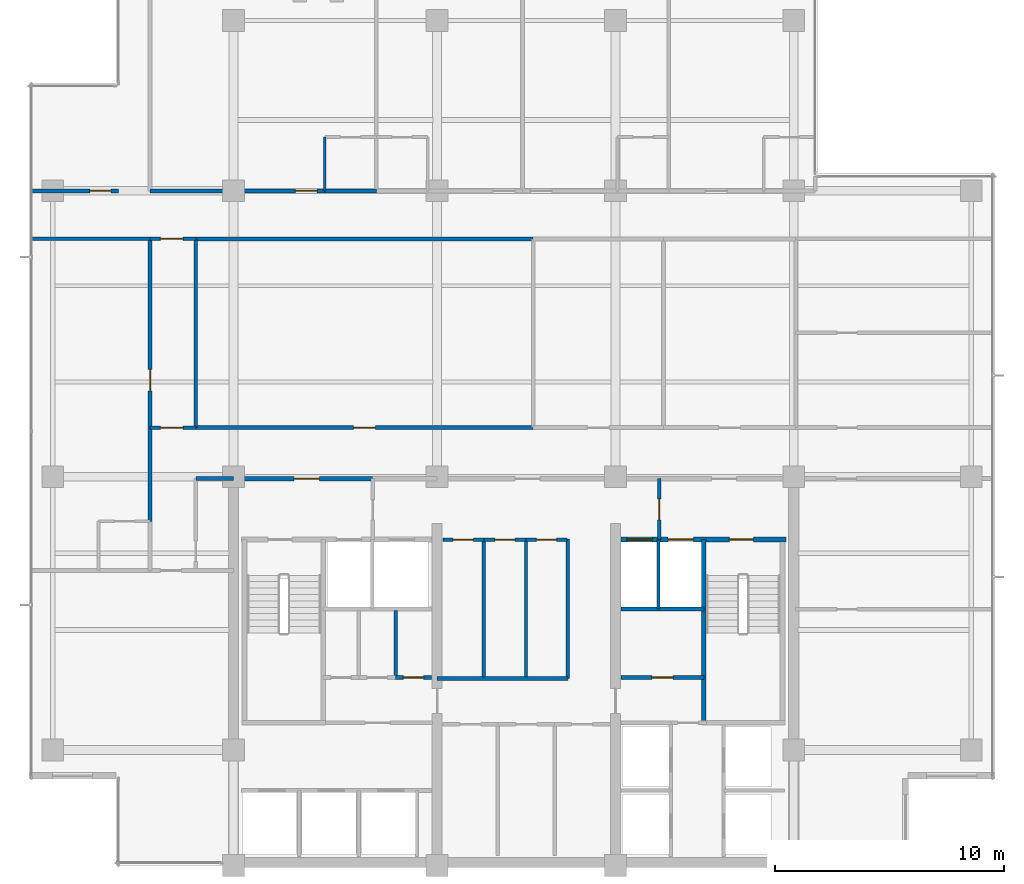
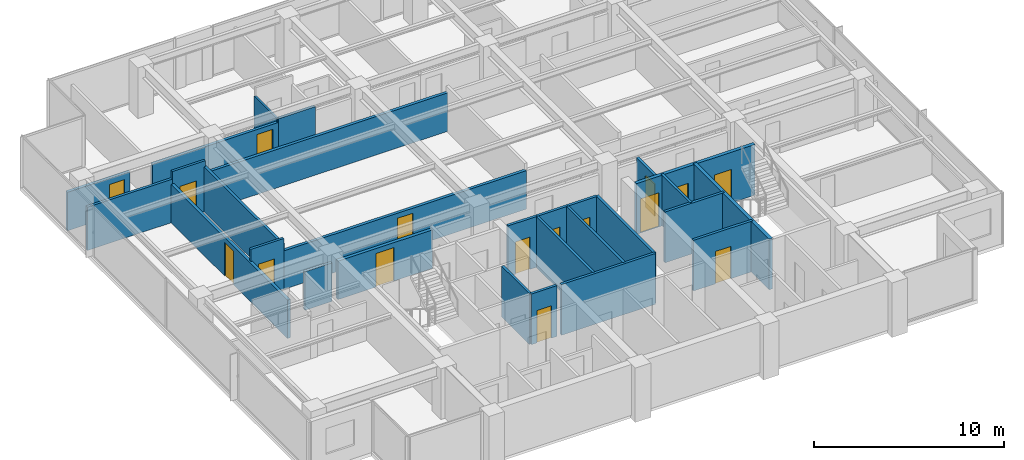
# One storey, part 8 of 14: 28 walls, 16 doors, 16 openings.
"""IFC4 building model written with IfcOpenShell, lengths in metres."""

from ifc_helpers import new_model, si_unit, direction, frame, frame_2d, origin, place, context, subcontext, project, spatial, rectangle, extrude, material, layer, layer_set, type_object, element, fill, save


model = new_model("IFC4")

# Units and contexts
model_context = context("Model", 3, precision=1e-05, world=origin(), true_north=direction((0.0, 1.0)))
body_context = subcontext(model_context, "Body", "Model", "MODEL_VIEW")
ifc_project = project(units=[si_unit("LENGTHUNIT", "METRE"), si_unit("AREAUNIT", "SQUARE_METRE"), si_unit("VOLUMEUNIT", "CUBIC_METRE"), si_unit("PLANEANGLEUNIT", "RADIAN"), si_unit("MASSUNIT", "GRAM", prefix="KILO")], contexts=[model_context])

# Site, building, storey
site_placement = place(None, origin())
site = spatial("IfcSite", under=ifc_project, at=site_placement, CompositionType="ELEMENT")
building_placement = place(site_placement, origin())
building = spatial("IfcBuilding", under=site, at=building_placement, Name="Qalmaran Belvedere Hotel", CompositionType="ELEMENT")
storey_placement = place(building_placement, frame((0.0, 0.0, 228.39990234375)))
storey = spatial("IfcBuildingStorey", under=building, at=storey_placement, Name="L58", CompositionType="ELEMENT", Elevation=228.39990234375)

# Walls
ifc_material_1 = material(Name="Moisture-Resistant Gypsum")
ifc_layer_1 = layer(ifc_material_1, 0.1201171875, Name="Moisture-Resistant Gypsum")
ifc_layer_set_1 = layer_set([ifc_layer_1], Name="Moisture-Resistant Gypsum")
wall_type_1 = type_object("IfcWallType", Name="WL-INT-120-BATH", PredefinedType="PARTITIONING", material=ifc_layer_set_1)
wall_1_placement = place(storey_placement, frame((24.290283203125, 33.0, 0.0), z_axis=(0.0, 0.0, 1.0), x_axis=(0.0, 1.0, 0.0)))
element("IfcWall", 1, at=wall_1_placement, inside=storey, type_object=wall_type_1, Name="L58 Partition WL-L58-NBS00", PredefinedType="PARTITIONING", context=body_context, shape_type="SweptSolid", body=[
    extrude(rectangle(XDim=2.35009765625, YDim=0.1201171875, at=frame_2d((1.175048828125, 0.0))), origin(), (0.0, 0.0, 1.0), 2.7060546875),
])
ifc_material_2 = material(Name="Gypsum Stud Partition")
ifc_layer_2 = layer(ifc_material_2, 0.14990234375, Name="Gypsum Stud Partition")
ifc_layer_set_2 = layer_set([ifc_layer_2], Name="Gypsum Stud Partition")
wall_type_2 = type_object("IfcWallType", Name="WL-INT-150-EI120", PredefinedType="PARTITIONING", material=ifc_layer_set_2)
wall_2_placement = place(storey_placement, frame((38.8798828125, 14.719970703125, 0.0), z_axis=(0.0, 0.0, 1.0), x_axis=(0.0, 1.0, 0.0)))
element("IfcWall", 2, at=wall_2_placement, inside=storey, type_object=wall_type_2, Name="L58 Partition WL-FF2M-L58", PredefinedType="PARTITIONING", context=body_context, shape_type="SweptSolid", body=[
    extrude(rectangle(XDim=3.0400390625, YDim=0.14990234375, at=frame_2d((1.52001953125, 0.0))), origin(), (0.0, 0.0, 1.0), 3.260009765625),
])
ifc_layer_3 = layer(ifc_material_2, 0.14990234375, Name="Gypsum Stud Partition")
ifc_layer_set_3 = layer_set([ifc_layer_3], Name="Gypsum Stud Partition")
wall_type_3 = type_object("IfcWallType", Name="WL-INT-150-EI60", PredefinedType="PARTITIONING", material=ifc_layer_set_3)
wall_3_placement = place(storey_placement, frame((27.38916015625, 11.719970703125, 0.0), z_axis=(0.0, 0.0, 1.0), x_axis=(0.0, 1.0, 0.0)))
element("IfcWall", 3, at=wall_3_placement, inside=storey, type_object=wall_type_3, Name="L58 Partition WL-L58-KWV2", PredefinedType="PARTITIONING", context=body_context, shape_type="SweptSolid", body=[
    extrude(rectangle(XDim=2.929931640625, YDim=0.14990234375, at=frame_2d((1.46484375, 0.0))), origin(), (0.0, 0.0, 1.0), 3.260009765625),
])
for number, where, z_axis, x_axis, name in (
    (4, (31.241943359375, 11.739990234375, 0.0), (0.0, 0.0, 1.0), (0.0, 1.0, 0.0), "L58 Partition WL-L58-KPMV1"),
    (5, (33.088134765625, 11.739990234375, 0.0), (0.0, 0.0, 1.0), (0.0, 1.0, 0.0), "L58 Partition WL-L58-KPMV2"),
):
    element("IfcWall", number, at=place(storey_placement, frame(where, z_axis=z_axis, x_axis=x_axis)), inside=storey, type_object=wall_type_3, Name=name, PredefinedType="PARTITIONING", context=body_context, shape_type="SweptSolid", body=[
        extrude(rectangle(XDim=6.010009765625, YDim=0.14990234375, at=frame_2d((3.0048828125, 0.0))), origin(), (0.0, 0.0, 1.0), 3.260009765625),
    ])

# Wall, opening, door
wall_4_placement = place(storey_placement, frame((16.64990234375, 22.64990234375, 0.0), z_axis=(0.0, 0.0, 1.0), x_axis=(1.0, 0.0, 0.0)))
wall_4 = element("IfcWall", 6, at=wall_4_placement, inside=storey, type_object=wall_type_3, Name="L58 Partition WL-L58-XCW1", PredefinedType="PARTITIONING", context=body_context, shape_type="SweptSolid", body=[
    extrude(rectangle(XDim=2.0, YDim=0.14990234375, at=frame_2d((1.0, 0.0))), origin(), (0.0, 0.0, 1.0), 3.260009765625),
])
opening_1_placement = place(wall_4_placement, frame((0.449951171875, 0.0, 0.0)))
opening_1 = element("IfcOpeningElement", 7, at=opening_1_placement, cuts=wall_4, Name="Opening FD90B", PredefinedType="OPENING", context=body_context, shape_type="SweptSolid", body=[
    extrude(rectangle(XDim=1.0, YDim=2.14990234375, at=frame_2d((0.5, 1.074951171875))), frame((0.0, 0.0849609375, 0.0), z_axis=(0.0, -1.0, 0.0), x_axis=(1.0, 0.0, 0.0)), (0.0, 0.0, 1.0), 0.169921875),
])
ifc_material_3 = material(Name="Steel S355JR", Category="steel")
door_type_1 = type_object("IfcDoorType", Name="DR-FD90B-1000X2150", OperationType="NOTDEFINED", PredefinedType="DOOR", material=ifc_material_3)
door_1_placement = place(opening_1_placement, origin())
door_1 = element("IfcDoor", 8, at=door_1_placement, inside=storey, type_object=door_type_1, Name="L58 West Corridor Smoke Door S", OperationType="SINGLE_SWING_RIGHT", OverallHeight=2.14990234375, OverallWidth=1.0, PredefinedType="DOOR", context=body_context, shape_type="SweptSolid", body=[
    extrude(rectangle(XDim=1.0, YDim=2.14990234375, at=frame_2d((0.5, 1.074951171875))), frame((0.0, 0.02490234375, 0.0), z_axis=(0.0, -1.0, 0.0), x_axis=(1.0, 0.0, 0.0)), (0.0, 0.0, 1.0), 0.050048828125),
])
fill(opening_1, door_1)

wall_5_placement = place(storey_placement, frame((16.64990234375, 30.89990234375, 0.0), z_axis=(0.0, 0.0, 1.0), x_axis=(1.0, 0.0, 0.0)))
wall_5 = element("IfcWall", 9, at=wall_5_placement, inside=storey, type_object=wall_type_3, Name="L58 Partition WL-L58-XCW2", PredefinedType="PARTITIONING", context=body_context, shape_type="SweptSolid", body=[
    extrude(rectangle(XDim=2.0, YDim=0.14990234375, at=frame_2d((1.0, 0.0))), origin(), (0.0, 0.0, 1.0), 3.260009765625),
])
opening_2_placement = place(wall_5_placement, frame((0.449951171875, 0.0, 0.0)))
opening_2 = element("IfcOpeningElement", 10, at=opening_2_placement, cuts=wall_5, Name="Opening FD90B", PredefinedType="OPENING", context=body_context, shape_type="SweptSolid", body=[
    extrude(rectangle(XDim=1.0, YDim=2.14990234375, at=frame_2d((0.5, 1.074951171875))), frame((0.0, 0.0849609375, 0.0), z_axis=(0.0, -1.0, 0.0), x_axis=(1.0, 0.0, 0.0)), (0.0, 0.0, 1.0), 0.169921875),
])
door_2_placement = place(opening_2_placement, origin())
door_2 = element("IfcDoor", 11, at=door_2_placement, inside=storey, type_object=door_type_1, Name="L58 West Corridor Smoke Door N", OperationType="SINGLE_SWING_LEFT", OverallHeight=2.14990234375, OverallWidth=1.0, PredefinedType="DOOR", context=body_context, shape_type="SweptSolid", body=[
    extrude(rectangle(XDim=1.0, YDim=2.14990234375, at=frame_2d((0.5, 1.074951171875))), frame((0.0, 0.02490234375, 0.0), z_axis=(0.0, -1.0, 0.0), x_axis=(1.0, 0.0, 0.0)), (0.0, 0.0, 1.0), 0.050048828125),
])
fill(opening_2, door_2)

ifc_layer_4 = layer(ifc_material_2, 0.159912109375, Name="Gypsum Stud Partition")
ifc_layer_set_4 = layer_set([ifc_layer_4], Name="Gypsum Stud Partition")
wall_type_4 = type_object("IfcWallType", Name="WL-INT-160-EI120", PredefinedType="PARTITIONING", material=ifc_layer_set_4)
wall_6_placement = place(storey_placement, frame((38.919921875, 17.760009765625, 0.0), z_axis=(0.0, 0.0, 1.0), x_axis=(0.0, 1.0, 0.0)))
wall_6 = element("IfcWall", 12, at=wall_6_placement, inside=storey, type_object=wall_type_4, Name="L58 Partition WL-FFSV2-L58", PredefinedType="PARTITIONING", context=body_context, shape_type="SweptSolid", body=[
    extrude(rectangle(XDim=2.659912109375, YDim=0.159912109375, at=frame_2d((1.330078125, 0.0))), origin(), (0.0, 0.0, 1.0), 2.7060546875),
])
opening_3_placement = place(wall_6_placement, frame((1.77001953125, 0.0, 0.0), z_axis=(0.0, 0.0, 1.0), x_axis=(-1.0, 0.0, 0.0)))
opening_3 = element("IfcOpeningElement", 13, at=opening_3_placement, cuts=wall_6, Name="Opening FD60S1", PredefinedType="OPENING", context=body_context, shape_type="SweptSolid", body=[
    extrude(rectangle(XDim=0.919921875, YDim=2.080078125, at=frame_2d((0.4599609375, 1.0400390625))), frame((0.0, 0.08984375, 0.0), z_axis=(0.0, -1.0, 0.0), x_axis=(1.0, 0.0, 0.0)), (0.0, 0.0, 1.0), 0.179931640625),
])
ifc_material_4 = material(Name="Engineered Oak Veneer")
door_type_2 = type_object("IfcDoorType", Name="DR-FD60S-920X2080", OperationType="NOTDEFINED", PredefinedType="DOOR", material=ifc_material_4)
door_3_placement = place(opening_3_placement, origin())
door_3 = element("IfcDoor", 14, at=door_3_placement, inside=storey, type_object=door_type_2, Name="L58 Service Lobby East Door", OperationType="SINGLE_SWING_RIGHT", OverallHeight=2.080078125, OverallWidth=0.919921875, PredefinedType="DOOR", context=body_context, shape_type="SweptSolid", body=[
    extrude(rectangle(XDim=0.919921875, YDim=2.080078125, at=frame_2d((0.4599609375, 1.0400390625))), frame((0.0, 0.02490234375, 0.0), z_axis=(0.0, -1.0, 0.0), x_axis=(1.0, 0.0, 0.0)), (0.0, 0.0, 1.0), 0.050048828125),
])
fill(opening_3, door_3)

# Wall
wall_7_placement = place(storey_placement, frame((37.25, 14.719970703125, 0.0), z_axis=(0.0, 0.0, 1.0), x_axis=(1.0, 0.0, 0.0)))
element("IfcWall", 15, at=wall_7_placement, inside=storey, type_object=wall_type_4, Name="L58 Partition WL-FF2S-L58", PredefinedType="PARTITIONING", context=body_context, shape_type="SweptSolid", body=[
    extrude(rectangle(XDim=3.610107421875, YDim=0.159912109375, at=frame_2d((1.80517578125, 0.0))), origin(), (0.0, 0.0, 1.0), 3.260009765625),
])

# Wall, opening, door
ifc_layer_5 = layer(ifc_material_2, 0.159912109375, Name="Gypsum Stud Partition")
ifc_layer_set_5 = layer_set([ifc_layer_5], Name="Gypsum Stud Partition")
wall_type_5 = type_object("IfcWallType", Name="WL-INT-160-EI60", PredefinedType="PARTITIONING", material=ifc_layer_set_5)
wall_8_placement = place(storey_placement, frame((27.38916015625, 11.719970703125, 0.0), z_axis=(0.0, 0.0, 1.0), x_axis=(1.0, 0.0, 0.0)))
wall_8 = element("IfcWall", 16, at=wall_8_placement, inside=storey, type_object=wall_type_5, Name="L58 Partition WL-L58-KWE3", PredefinedType="PARTITIONING", context=body_context, shape_type="SweptSolid", body=[
    extrude(rectangle(XDim=1.560791015625, YDim=0.159912109375, at=frame_2d((0.7802734375, 0.0))), origin(), (0.0, 0.0, 1.0), 3.260009765625),
])
opening_4_placement = place(wall_8_placement, frame((0.340576171875, 0.0, 0.0)))
opening_4 = element("IfcOpeningElement", 17, at=opening_4_placement, cuts=wall_8, Name="Opening FD60B", PredefinedType="OPENING", context=body_context, shape_type="SweptSolid", body=[
    extrude(rectangle(XDim=0.8798828125, YDim=2.080078125, at=frame_2d((0.43994140625, 1.0400390625))), frame((0.0, 0.08984375, 0.0), z_axis=(0.0, -1.0, 0.0), x_axis=(1.0, 0.0, 0.0)), (0.0, 0.0, 1.0), 0.179931640625),
])
door_type_3 = type_object("IfcDoorType", Name="DR-FD60B-880X2080", OperationType="NOTDEFINED", PredefinedType="DOOR", material=ifc_material_3)
door_4_placement = place(opening_4_placement, origin())
door_4 = element("IfcDoor", 18, at=door_4_placement, inside=storey, type_object=door_type_3, Name="L58 Telecom and IT Room Door", OperationType="SINGLE_SWING_RIGHT", OverallHeight=2.080078125, OverallWidth=0.8798828125, PredefinedType="DOOR", context=body_context, shape_type="SweptSolid", body=[
    extrude(rectangle(XDim=0.8798828125, YDim=2.080078125, at=frame_2d((0.43994140625, 1.0400390625))), frame((0.0, 0.02490234375, 0.0), z_axis=(0.0, -1.0, 0.0), x_axis=(1.0, 0.0, 0.0)), (0.0, 0.0, 1.0), 0.050048828125),
])
fill(opening_4, door_4)

wall_9_placement = place(storey_placement, frame((37.25, 11.719970703125, 0.0), z_axis=(0.0, 0.0, 1.0), x_axis=(1.0, 0.0, 0.0)))
wall_9 = element("IfcWall", 19, at=wall_9_placement, inside=storey, type_object=wall_type_5, Name="L58 Partition WL-L58-KEE1", PredefinedType="PARTITIONING", context=body_context, shape_type="SweptSolid", body=[
    extrude(rectangle(XDim=3.610107421875, YDim=0.159912109375, at=frame_2d((1.80517578125, 0.0))), origin(), (0.0, 0.0, 1.0), 3.260009765625),
])
opening_5_placement = place(wall_9_placement, frame((1.344970703125, 0.0, 0.0)))
opening_5 = element("IfcOpeningElement", 20, at=opening_5_placement, cuts=wall_9, Name="Opening FD60S1", PredefinedType="OPENING", context=body_context, shape_type="SweptSolid", body=[
    extrude(rectangle(XDim=0.919921875, YDim=2.080078125, at=frame_2d((0.4599609375, 1.0400390625))), frame((0.0, 0.08984375, 0.0), z_axis=(0.0, -1.0, 0.0), x_axis=(1.0, 0.0, 0.0)), (0.0, 0.0, 1.0), 0.179931640625),
])
door_5_placement = place(opening_5_placement, origin())
door_5 = element("IfcDoor", 21, at=door_5_placement, inside=storey, type_object=door_type_2, Name="L58 Guest Ice and Beverage Pantry Door", OperationType="SINGLE_SWING_LEFT", OverallHeight=2.080078125, OverallWidth=0.919921875, PredefinedType="DOOR", context=body_context, shape_type="SweptSolid", body=[
    extrude(rectangle(XDim=0.919921875, YDim=2.080078125, at=frame_2d((0.4599609375, 1.0400390625))), frame((0.0, 0.02490234375, 0.0), z_axis=(0.0, -1.0, 0.0), x_axis=(1.0, 0.0, 0.0)), (0.0, 0.0, 1.0), 0.050048828125),
])
fill(opening_5, door_5)

# Walls
wall_10_placement = place(storey_placement, frame((34.919921875, 11.679931640625, 0.0), z_axis=(0.0, 0.0, 1.0), x_axis=(0.0, 1.0, 0.0)))
element("IfcWall", 22, at=wall_10_placement, inside=storey, type_object=wall_type_5, Name="L58 Partition WL-CLLV-L58", PredefinedType="PARTITIONING", context=body_context, shape_type="SweptSolid", body=[
    extrude(rectangle(XDim=6.10009765625, YDim=0.159912109375, at=frame_2d((3.050048828125, 0.0))), origin(), (0.0, 0.0, 1.0), 3.260009765625),
])
wall_11_placement = place(storey_placement, frame((29.199951171875, 11.679931640625, 0.0), z_axis=(0.0, 0.0, 1.0), x_axis=(1.0, 0.0, 0.0)))
element("IfcWall", 23, at=wall_11_placement, inside=storey, type_object=wall_type_5, Name="L58 Partition WL-PMFS-L58", PredefinedType="PARTITIONING", context=body_context, shape_type="SweptSolid", body=[
    extrude(rectangle(XDim=5.719970703125, YDim=0.159912109375, at=frame_2d((2.85986328125, 0.0))), origin(), (0.0, 0.0, 1.0), 3.260009765625),
])

# Wall, opening, door
wall_12_placement = place(storey_placement, frame((29.449951171875, 17.75, 0.0), z_axis=(0.0, 0.0, 1.0), x_axis=(1.0, 0.0, 0.0)))
wall_12 = element("IfcWall", 24, at=wall_12_placement, inside=storey, type_object=wall_type_5, Name="L58 Partition WL-L58-KPME1", PredefinedType="PARTITIONING", context=body_context, shape_type="SweptSolid", body=[
    extrude(rectangle(XDim=1.7919921875, YDim=0.159912109375, at=frame_2d((0.89599609375, 0.0))), origin(), (0.0, 0.0, 1.0), 3.260009765625),
])
opening_6_placement = place(wall_12_placement, frame((1.3359375, 0.0, 0.0), z_axis=(0.0, 0.0, 1.0), x_axis=(-1.0, 0.0, 0.0)))
opening_6 = element("IfcOpeningElement", 25, at=opening_6_placement, cuts=wall_12, Name="Opening FD60B", PredefinedType="OPENING", context=body_context, shape_type="SweptSolid", body=[
    extrude(rectangle(XDim=0.8798828125, YDim=2.080078125, at=frame_2d((0.43994140625, 1.0400390625))), frame((0.0, 0.08984375, 0.0), z_axis=(0.0, -1.0, 0.0), x_axis=(1.0, 0.0, 0.0)), (0.0, 0.0, 1.0), 0.179931640625),
])
door_6_placement = place(opening_6_placement, origin())
door_6 = element("IfcDoor", 26, at=door_6_placement, inside=storey, type_object=door_type_3, Name="L58 Executive Butler Pantry Door", OperationType="SINGLE_SWING_LEFT", OverallHeight=2.080078125, OverallWidth=0.8798828125, PredefinedType="DOOR", context=body_context, shape_type="SweptSolid", body=[
    extrude(rectangle(XDim=0.8798828125, YDim=2.080078125, at=frame_2d((0.43994140625, 1.0400390625))), frame((0.0, 0.02490234375, 0.0), z_axis=(0.0, -1.0, 0.0), x_axis=(1.0, 0.0, 0.0)), (0.0, 0.0, 1.0), 0.050048828125),
])
fill(opening_6, door_6)

wall_13_placement = place(storey_placement, frame((31.241943359375, 17.75, 0.0), z_axis=(0.0, 0.0, 1.0), x_axis=(1.0, 0.0, 0.0)))
wall_13 = element("IfcWall", 27, at=wall_13_placement, inside=storey, type_object=wall_type_5, Name="L58 Partition WL-L58-KPME2", PredefinedType="PARTITIONING", context=body_context, shape_type="SweptSolid", body=[
    extrude(rectangle(XDim=1.84619140625, YDim=0.159912109375, at=frame_2d((0.923095703125, 0.0))), origin(), (0.0, 0.0, 1.0), 3.260009765625),
])
opening_7_placement = place(wall_13_placement, frame((1.363037109375, 0.0, 0.0), z_axis=(0.0, 0.0, 1.0), x_axis=(-1.0, 0.0, 0.0)))
opening_7 = element("IfcOpeningElement", 28, at=opening_7_placement, cuts=wall_13, Name="Opening FD60B", PredefinedType="OPENING", context=body_context, shape_type="SweptSolid", body=[
    extrude(rectangle(XDim=0.8798828125, YDim=2.080078125, at=frame_2d((0.43994140625, 1.0400390625))), frame((0.0, 0.08984375, 0.0), z_axis=(0.0, -1.0, 0.0), x_axis=(1.0, 0.0, 0.0)), (0.0, 0.0, 1.0), 0.179931640625),
])
door_7_placement = place(opening_7_placement, origin())
door_7 = element("IfcDoor", 29, at=door_7_placement, inside=storey, type_object=door_type_3, Name="L58 Floor Linen Supply Store Door", OperationType="SINGLE_SWING_RIGHT", OverallHeight=2.080078125, OverallWidth=0.8798828125, PredefinedType="DOOR", context=body_context, shape_type="SweptSolid", body=[
    extrude(rectangle(XDim=0.8798828125, YDim=2.080078125, at=frame_2d((0.43994140625, 1.0400390625))), frame((0.0, 0.02490234375, 0.0), z_axis=(0.0, -1.0, 0.0), x_axis=(1.0, 0.0, 0.0)), (0.0, 0.0, 1.0), 0.050048828125),
])
fill(opening_7, door_7)

wall_14_placement = place(storey_placement, frame((33.088134765625, 17.75, 0.0), z_axis=(0.0, 0.0, 1.0), x_axis=(1.0, 0.0, 0.0)))
wall_14 = element("IfcWall", 30, at=wall_14_placement, inside=storey, type_object=wall_type_5, Name="L58 Partition WL-L58-KPME3", PredefinedType="PARTITIONING", context=body_context, shape_type="SweptSolid", body=[
    extrude(rectangle(XDim=1.791748046875, YDim=0.159912109375, at=frame_2d((0.89599609375, 0.0))), origin(), (0.0, 0.0, 1.0), 3.260009765625),
])
opening_8_placement = place(wall_14_placement, frame((1.3359375, 0.0, 0.0), z_axis=(0.0, 0.0, 1.0), x_axis=(-1.0, 0.0, 0.0)))
opening_8 = element("IfcOpeningElement", 31, at=opening_8_placement, cuts=wall_14, Name="Opening FD60B", PredefinedType="OPENING", context=body_context, shape_type="SweptSolid", body=[
    extrude(rectangle(XDim=0.8798828125, YDim=2.080078125, at=frame_2d((0.43994140625, 1.0400390625))), frame((0.0, 0.08984375, 0.0), z_axis=(0.0, -1.0, 0.0), x_axis=(1.0, 0.0, 0.0)), (0.0, 0.0, 1.0), 0.179931640625),
])
door_8_placement = place(opening_8_placement, origin())
door_8 = element("IfcDoor", 32, at=door_8_placement, inside=storey, type_object=door_type_3, Name="L58 Core Tableware Store Door", OperationType="SINGLE_SWING_LEFT", OverallHeight=2.080078125, OverallWidth=0.8798828125, PredefinedType="DOOR", context=body_context, shape_type="SweptSolid", body=[
    extrude(rectangle(XDim=0.8798828125, YDim=2.080078125, at=frame_2d((0.43994140625, 1.0400390625))), frame((0.0, 0.02490234375, 0.0), z_axis=(0.0, -1.0, 0.0), x_axis=(1.0, 0.0, 0.0)), (0.0, 0.0, 1.0), 0.050048828125),
])
fill(opening_8, door_8)

# Walls
wall_15_placement = place(storey_placement, frame((18.64990234375, 20.419921875, 0.0), z_axis=(0.0, 0.0, 1.0), x_axis=(1.0, 0.0, 0.0)))
element("IfcWall", 33, at=wall_15_placement, inside=storey, type_object=wall_type_5, Name="L58 Partition WL-L58-WCLN", PredefinedType="PARTITIONING", context=body_context, shape_type="SweptSolid", body=[
    extrude(rectangle(XDim=1.650146484375, YDim=0.159912109375, at=frame_2d((0.8251953125, 0.0))), origin(), (0.0, 0.0, 1.0), 2.47216796875),
])
wall_16_placement = place(storey_placement, frame((18.64990234375, 22.64990234375, 0.0), z_axis=(0.0, 0.0, 1.0), x_axis=(0.0, 1.0, 0.0)))
element("IfcWall", 34, at=wall_16_placement, inside=storey, type_object=wall_type_5, Name="L58 Partition WL-L58-MIDVL", PredefinedType="PARTITIONING", context=body_context, shape_type="SweptSolid", body=[
    extrude(rectangle(XDim=8.25, YDim=0.159912109375, at=frame_2d((4.125, 0.0))), origin(), (0.0, 0.0, 1.0), 2.88720703125),
])
wall_17_placement = place(storey_placement, frame((11.469970703125, 30.89990234375, 0.0), z_axis=(0.0, 0.0, 1.0), x_axis=(1.0, 0.0, 0.0)))
element("IfcWall", 35, at=wall_17_placement, inside=storey, type_object=wall_type_5, Name="L58 Partition WL-L58-WU00", PredefinedType="PARTITIONING", context=body_context, shape_type="SweptSolid", body=[
    extrude(rectangle(XDim=5.179931640625, YDim=0.159912109375, at=frame_2d((2.58984375, 0.0))), origin(), (0.0, 0.0, 1.0), 2.781982421875),
])

# Wall, opening, door
ifc_layer_6 = layer(ifc_material_2, 0.179931640625, Name="Gypsum Stud Partition")
ifc_layer_set_6 = layer_set([ifc_layer_6], Name="Gypsum Stud Partition")
wall_type_6 = type_object("IfcWallType", Name="WL-INT-180-EI60", PredefinedType="PARTITIONING", material=ifc_layer_set_6)
wall_18_placement = place(storey_placement, frame((18.64990234375, 22.64990234375, 0.0), z_axis=(0.0, 0.0, 1.0), x_axis=(1.0, 0.0, 0.0)))
wall_18 = element("IfcWall", 36, at=wall_18_placement, inside=storey, type_object=wall_type_6, Name="L58 Partition WL-L58-MIDD1", PredefinedType="PARTITIONING", context=body_context, shape_type="SweptSolid", body=[
    extrude(rectangle(XDim=14.75, YDim=0.179931640625, at=frame_2d((7.375, 0.0))), origin(), (0.0, 0.0, 1.0), 2.47216796875),
])
opening_9_placement = place(wall_18_placement, frame((6.89990234375, 0.0, 0.0)))
opening_9 = element("IfcOpeningElement", 37, at=opening_9_placement, cuts=wall_18, Name="Opening FD60", PredefinedType="OPENING", context=body_context, shape_type="SweptSolid", body=[
    extrude(rectangle(XDim=0.949951171875, YDim=2.14990234375, at=frame_2d((0.47509765625, 1.074951171875))), frame((0.0, 0.10009765625, 0.0), z_axis=(0.0, -1.0, 0.0), x_axis=(1.0, 0.0, 0.0)), (0.0, 0.0, 1.0), 0.199951171875),
])
door_type_4 = type_object("IfcDoorType", Name="DR-FD60-950X2150", OperationType="NOTDEFINED", PredefinedType="DOOR", material=ifc_material_4)
door_9_placement = place(opening_9_placement, origin())
door_9 = element("IfcDoor", 38, at=door_9_placement, inside=storey, type_object=door_type_4, Name="L58 Housekeeping and Linen Room Door", OperationType="SINGLE_SWING_RIGHT", OverallHeight=2.14990234375, OverallWidth=0.949951171875, PredefinedType="DOOR", context=body_context, shape_type="SweptSolid", body=[
    extrude(rectangle(XDim=0.949951171875, YDim=2.14990234375, at=frame_2d((0.47509765625, 1.074951171875))), frame((0.0, 0.02490234375, 0.0), z_axis=(0.0, -1.0, 0.0), x_axis=(1.0, 0.0, 0.0)), (0.0, 0.0, 1.0), 0.050048828125),
])
fill(opening_9, door_9)

# Walls
wall_19_placement = place(storey_placement, frame((18.64990234375, 30.89990234375, 0.0), z_axis=(0.0, 0.0, 1.0), x_axis=(1.0, 0.0, 0.0)))
element("IfcWall", 39, at=wall_19_placement, inside=storey, type_object=wall_type_6, Name="L58 Partition WL-L58-MIDO1", PredefinedType="PARTITIONING", context=body_context, shape_type="SweptSolid", body=[
    extrude(rectangle(XDim=14.75, YDim=0.179931640625, at=frame_2d((7.375, 0.0))), origin(), (0.0, 0.0, 1.0), 2.47216796875),
])
wall_20_placement = place(storey_placement, frame((24.290283203125, 33.0, 0.0), z_axis=(0.0, 0.0, 1.0), x_axis=(1.0, 0.0, 0.0)))
element("IfcWall", 40, at=wall_20_placement, inside=storey, type_object=wall_type_6, Name="L58 Partition WL-L58-NBC00", PredefinedType="PARTITIONING", context=body_context, shape_type="SweptSolid", body=[
    extrude(rectangle(XDim=2.25, YDim=0.179931640625, at=frame_2d((1.125, 0.0))), origin(), (0.0, 0.0, 1.0), 2.7060546875),
])

# Wall, opening, door
wall_21_placement = place(storey_placement, frame((16.64990234375, 33.0, 0.0), z_axis=(0.0, 0.0, 1.0), x_axis=(1.0, 0.0, 0.0)))
wall_21 = element("IfcWall", 41, at=wall_21_placement, inside=storey, type_object=wall_type_6, Name="L58 Partition WL-L58-NEC00", PredefinedType="PARTITIONING", context=body_context, shape_type="SweptSolid", body=[
    extrude(rectangle(XDim=7.640380859375, YDim=0.179931640625, at=frame_2d((3.8203125, 0.0))), origin(), (0.0, 0.0, 1.0), 2.47216796875),
])
opening_10_placement = place(wall_21_placement, frame((6.352294921875, 0.0, 0.0)))
opening_10 = element("IfcOpeningElement", 42, at=opening_10_placement, cuts=wall_21, Name="Opening FD60", PredefinedType="OPENING", context=body_context, shape_type="SweptSolid", body=[
    extrude(rectangle(XDim=0.949951171875, YDim=2.14990234375, at=frame_2d((0.47509765625, 1.074951171875))), frame((0.0, 0.10009765625, 0.0), z_axis=(0.0, -1.0, 0.0), x_axis=(1.0, 0.0, 0.0)), (0.0, 0.0, 1.0), 0.199951171875),
])
door_10_placement = place(opening_10_placement, origin())
door_10 = element("IfcDoor", 43, at=door_10_placement, inside=storey, type_object=door_type_4, Name="L58 Guest Entrance Door N01", OperationType="SINGLE_SWING_RIGHT", OverallHeight=2.14990234375, OverallWidth=0.949951171875, PredefinedType="DOOR", context=body_context, shape_type="SweptSolid", body=[
    extrude(rectangle(XDim=0.949951171875, YDim=2.14990234375, at=frame_2d((0.47509765625, 1.074951171875))), frame((0.0, 0.02490234375, 0.0), z_axis=(0.0, -1.0, 0.0), x_axis=(1.0, 0.0, 0.0)), (0.0, 0.0, 1.0), 0.050048828125),
])
fill(opening_10, door_10)

wall_22_placement = place(storey_placement, frame((16.64990234375, 18.550048828125, 0.0), z_axis=(0.0, 0.0, 1.0), x_axis=(0.0, 1.0, 0.0)))
wall_22 = element("IfcWall", 44, at=wall_22_placement, inside=storey, type_object=wall_type_6, Name="L58 Partition WL-L58-WEC00", PredefinedType="PARTITIONING", context=body_context, shape_type="SweptSolid", body=[
    extrude(rectangle(XDim=12.349853515625, YDim=0.179931640625, at=frame_2d((6.1748046875, 0.0))), origin(), (0.0, 0.0, 1.0), 2.47216796875),
])
opening_11_placement = place(wall_22_placement, frame((5.699951171875, 0.0, 0.0)))
opening_11 = element("IfcOpeningElement", 45, at=opening_11_placement, cuts=wall_22, Name="Opening FD60", PredefinedType="OPENING", context=body_context, shape_type="SweptSolid", body=[
    extrude(rectangle(XDim=0.949951171875, YDim=2.14990234375, at=frame_2d((0.47509765625, 1.074951171875))), frame((0.0, 0.10009765625, 0.0), z_axis=(0.0, -1.0, 0.0), x_axis=(1.0, 0.0, 0.0)), (0.0, 0.0, 1.0), 0.199951171875),
])
door_11_placement = place(opening_11_placement, origin())
door_11 = element("IfcDoor", 46, at=door_11_placement, inside=storey, type_object=door_type_4, Name="L58 W Wing Door 01", OperationType="SINGLE_SWING_RIGHT", OverallHeight=2.14990234375, OverallWidth=0.949951171875, PredefinedType="DOOR", context=body_context, shape_type="SweptSolid", body=[
    extrude(rectangle(XDim=0.949951171875, YDim=2.14990234375, at=frame_2d((0.47509765625, 1.074951171875))), frame((0.0, 0.02490234375, 0.0), z_axis=(0.0, -1.0, 0.0), x_axis=(1.0, 0.0, 0.0)), (0.0, 0.0, 1.0), 0.050048828125),
])
fill(opening_11, door_11)

wall_23_placement = place(storey_placement, frame((11.469970703125, 33.0, 0.0), z_axis=(0.0, 0.0, 1.0), x_axis=(1.0, 0.0, 0.0)))
wall_23 = element("IfcWall", 47, at=wall_23_placement, inside=storey, type_object=wall_type_6, Name="L58 Partition WL-L58-NWSD", PredefinedType="PARTITIONING", context=body_context, shape_type="SweptSolid", body=[
    extrude(rectangle(XDim=3.800048828125, YDim=0.179931640625, at=frame_2d((1.89990234375, 0.0))), origin(), (0.0, 0.0, 1.0), 2.47216796875),
])
opening_12_placement = place(wall_23_placement, frame((2.543701171875, 0.0, 0.0)))
opening_12 = element("IfcOpeningElement", 48, at=opening_12_placement, cuts=wall_23, Name="Opening FD60S1", PredefinedType="OPENING", context=body_context, shape_type="SweptSolid", body=[
    extrude(rectangle(XDim=0.919921875, YDim=2.080078125, at=frame_2d((0.4599609375, 1.0400390625))), frame((0.0, 0.10009765625, 0.0), z_axis=(0.0, -1.0, 0.0), x_axis=(1.0, 0.0, 0.0)), (0.0, 0.0, 1.0), 0.199951171875),
])
door_12_placement = place(opening_12_placement, origin())
door_12 = element("IfcDoor", 49, at=door_12_placement, inside=storey, type_object=door_type_2, Name="L58 NW Belvedere Study Door", OperationType="SINGLE_SWING_LEFT", OverallHeight=2.080078125, OverallWidth=0.919921875, PredefinedType="DOOR", context=body_context, shape_type="SweptSolid", body=[
    extrude(rectangle(XDim=0.919921875, YDim=2.080078125, at=frame_2d((0.4599609375, 1.0400390625))), frame((0.0, 0.02490234375, 0.0), z_axis=(0.0, -1.0, 0.0), x_axis=(1.0, 0.0, 0.0)), (0.0, 0.0, 1.0), 0.050048828125),
])
fill(opening_12, door_12)

ifc_material_5 = material(Name="Concrete C30/37 Blockwork", Category="masonry")
ifc_layer_7 = layer(ifc_material_5, 0.199951171875, Name="Concrete C30/37 Blockwork")
ifc_layer_set_7 = layer_set([ifc_layer_7], Name="Concrete C30/37 Blockwork")
wall_type_7 = type_object("IfcWallType", Name="WL-INT-200-EI120", PredefinedType="PARTITIONING", material=ifc_layer_set_7)
wall_24_placement = place(storey_placement, frame((20.64990234375, 20.419921875, 0.0), z_axis=(0.0, 0.0, 1.0), x_axis=(1.0, 0.0, 0.0)))
wall_24 = element("IfcWall", 50, at=wall_24_placement, inside=storey, type_object=wall_type_7, Name="L58 Partition WL-CN1A-L58", PredefinedType="PARTITIONING", context=body_context, shape_type="SweptSolid", body=[
    extrude(rectangle(XDim=5.72998046875, YDim=0.199951171875, at=frame_2d((2.864990234375, 0.0))), origin(), (0.0, 0.0, 1.0), 2.47216796875),
])
opening_13_placement = place(wall_24_placement, frame((2.300048828125, 0.0, 0.0)))
opening_13 = element("IfcOpeningElement", 51, at=opening_13_placement, cuts=wall_24, Name="Opening FD90", PredefinedType="OPENING", context=body_context, shape_type="SweptSolid", body=[
    extrude(rectangle(XDim=1.10009765625, YDim=2.14990234375, at=frame_2d((0.550048828125, 1.074951171875))), frame((0.0, 0.10986328125, 0.0), z_axis=(0.0, -1.0, 0.0), x_axis=(1.0, 0.0, 0.0)), (0.0, 0.0, 1.0), 0.219970703125),
])
door_type_5 = type_object("IfcDoorType", Name="DR-FD90-1100X2150", OperationType="NOTDEFINED", PredefinedType="DOOR", material=ifc_material_3)
door_13_placement = place(opening_13_placement, origin())
door_13 = element("IfcDoor", 52, at=door_13_placement, inside=storey, type_object=door_type_5, Name="L58 FF1 Lobby Corridor Door", OperationType="SINGLE_SWING_LEFT", OverallHeight=2.14990234375, OverallWidth=1.10009765625, PredefinedType="DOOR", context=body_context, shape_type="SweptSolid", body=[
    extrude(rectangle(XDim=1.10009765625, YDim=2.14990234375, at=frame_2d((0.550048828125, 1.074951171875))), frame((0.0, 0.02490234375, 0.0), z_axis=(0.0, -1.0, 0.0), x_axis=(1.0, 0.0, 0.0)), (0.0, 0.0, 1.0), 0.050048828125),
])
fill(opening_13, door_13)

# Wall
ifc_material_6 = material(Name="Concrete C50/60", Category="concrete")
ifc_layer_8 = layer(ifc_material_6, 0.2099609375, Name="Concrete C50/60")
ifc_layer_set_8 = layer_set([ifc_layer_8], Name="Concrete C50/60")
wall_type_8 = type_object("IfcWallType", Name="WL-STAIR-210-C50", PredefinedType="SHEAR", material=ifc_layer_set_8)
wall_25_placement = place(storey_placement, frame((40.85498046875, 9.7451171875, 0.0), z_axis=(0.0, 0.0, 1.0), x_axis=(0.0, 1.0, 0.0)))
element("IfcWall", 53, at=wall_25_placement, inside=storey, type_object=wall_type_8, Name="L58 Stair ST-2 West Bearing Wall", PredefinedType="SHEAR", context=body_context, shape_type="SweptSolid", body=[
    extrude(rectangle(XDim=8.009765625, YDim=0.2099609375, at=frame_2d((4.0048828125, 0.0))), origin(), (0.0, 0.0, 1.0), 3.260009765625),
])

# Wall, openings, doors
wall_26_placement = place(storey_placement, frame((37.25, 17.7548828125, 0.0), z_axis=(0.0, 0.0, 1.0), x_axis=(1.0, 0.0, 0.0)))
wall_26 = element("IfcWall", 54, at=wall_26_placement, inside=storey, type_object=wall_type_8, Name="L58 East Lobby and Stair ST-2 North Bearing Wall", PredefinedType="SHEAR", context=body_context, shape_type="SweptSolid", body=[
    extrude(rectangle(XDim=7.199951171875, YDim=0.2099609375, at=frame_2d((3.60009765625, 0.0))), origin(), (0.0, 0.0, 1.0), 3.260009765625),
])
opening_14_placement = place(wall_26_placement, frame((0.25, 0.0, 0.0)))
opening_14 = element("IfcOpeningElement", 55, at=opening_14_placement, cuts=wall_26, Name="Opening LD-SV", PredefinedType="OPENING", context=body_context, shape_type="SweptSolid", body=[
    extrude(rectangle(XDim=1.1201171875, YDim=2.199951171875, at=frame_2d((0.56005859375, 1.10009765625))), frame((0.0, 0.114990234375, 0.0), z_axis=(0.0, -1.0, 0.0), x_axis=(1.0, 0.0, 0.0)), (0.0, 0.0, 1.0), 0.22998046875),
])
opening_15_placement = place(wall_26_placement, frame((2.050048828125, 0.0, 0.0)))
opening_15 = element("IfcOpeningElement", 56, at=opening_15_placement, cuts=wall_26, Name="Opening LD-FF", PredefinedType="OPENING", context=body_context, shape_type="SweptSolid", body=[
    extrude(rectangle(XDim=1.10009765625, YDim=2.179931640625, at=frame_2d((0.550048828125, 1.08984375))), frame((0.0, 0.114990234375, 0.0), z_axis=(0.0, -1.0, 0.0), x_axis=(1.0, 0.0, 0.0)), (0.0, 0.0, 1.0), 0.22998046875),
])
opening_16_placement = place(wall_26_placement, frame((5.780029296875, 0.0, 0.0), z_axis=(0.0, 0.0, 1.0), x_axis=(-1.0, 0.0, 0.0)))
opening_16 = element("IfcOpeningElement", 57, at=opening_16_placement, cuts=wall_26, Name="Opening FD90S2", PredefinedType="OPENING", context=body_context, shape_type="SweptSolid", body=[
    extrude(rectangle(XDim=1.050048828125, YDim=2.14990234375, at=frame_2d((0.52490234375, 1.074951171875))), frame((0.0, 0.114990234375, 0.0), z_axis=(0.0, -1.0, 0.0), x_axis=(1.0, 0.0, 0.0)), (0.0, 0.0, 1.0), 0.22998046875),
])
door_type_6 = type_object("IfcDoorType", Name="DR-FD90S-1050X2150", OperationType="NOTDEFINED", PredefinedType="DOOR", material=ifc_material_3)
door_14_placement = place(opening_16_placement, origin())
door_14 = element("IfcDoor", 58, at=door_14_placement, inside=storey, type_object=door_type_6, Name="L58 Stair ST-2 Door", OperationType="SINGLE_SWING_RIGHT", OverallHeight=2.14990234375, OverallWidth=1.050048828125, PredefinedType="DOOR", context=body_context, shape_type="SweptSolid", body=[
    extrude(rectangle(XDim=1.050048828125, YDim=2.14990234375, at=frame_2d((0.52490234375, 1.074951171875))), frame((0.0, 0.02490234375, 0.0), z_axis=(0.0, -1.0, 0.0), x_axis=(1.0, 0.0, 0.0)), (0.0, 0.0, 1.0), 0.050048828125),
])
fill(opening_16, door_14)
ifc_material_7 = material(Name="Stainless Steel 1.4401", Category="steel")
door_type_7 = type_object("IfcDoorType", Name="DR-LIFT-FF-1100X2180", OperationType="DOUBLE_DOOR_SLIDING", PredefinedType="DOOR", material=ifc_material_7)
door_15_placement = place(opening_15_placement, origin())
door_15 = element("IfcDoor", 59, at=door_15_placement, inside=storey, type_object=door_type_7, Name="L58 FF2 Lift Landing Door", OperationType="DOUBLE_DOOR_SLIDING", OverallHeight=2.179931640625, OverallWidth=1.10009765625, PredefinedType="DOOR", context=body_context, shape_type="SweptSolid", body=[
    extrude(rectangle(XDim=1.10009765625, YDim=2.179931640625, at=frame_2d((0.550048828125, 1.08984375))), frame((0.0, 0.02490234375, 0.0), z_axis=(0.0, -1.0, 0.0), x_axis=(1.0, 0.0, 0.0)), (0.0, 0.0, 1.0), 0.050048828125),
])
fill(opening_15, door_15)
door_type_8 = type_object("IfcDoorType", Name="DR-LIFT-SV-1120X2200", OperationType="DOUBLE_DOOR_SLIDING", PredefinedType="DOOR", material=ifc_material_7)
door_16_placement = place(opening_14_placement, origin())
door_16 = element("IfcDoor", 60, at=door_16_placement, inside=storey, type_object=door_type_8, Name="L58 SV2 Lift Landing Door", OperationType="DOUBLE_DOOR_SLIDING", OverallHeight=2.199951171875, OverallWidth=1.1201171875, PredefinedType="DOOR", context=body_context, shape_type="SweptSolid", body=[
    extrude(rectangle(XDim=1.1201171875, YDim=2.199951171875, at=frame_2d((0.56005859375, 1.10009765625))), frame((0.0, 0.02490234375, 0.0), z_axis=(0.0, -1.0, 0.0), x_axis=(1.0, 0.0, 0.0)), (0.0, 0.0, 1.0), 0.050048828125),
])
fill(opening_14, door_16)

save(model, "model.ifc")
